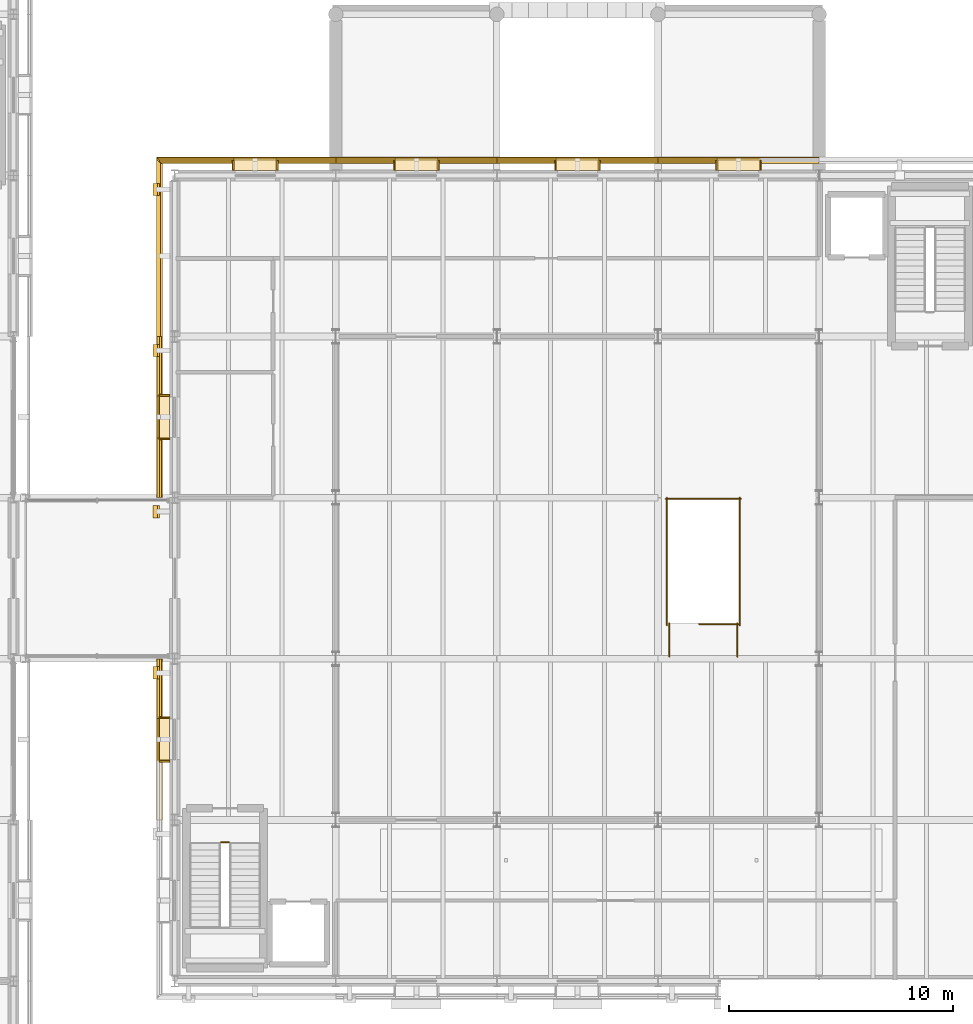
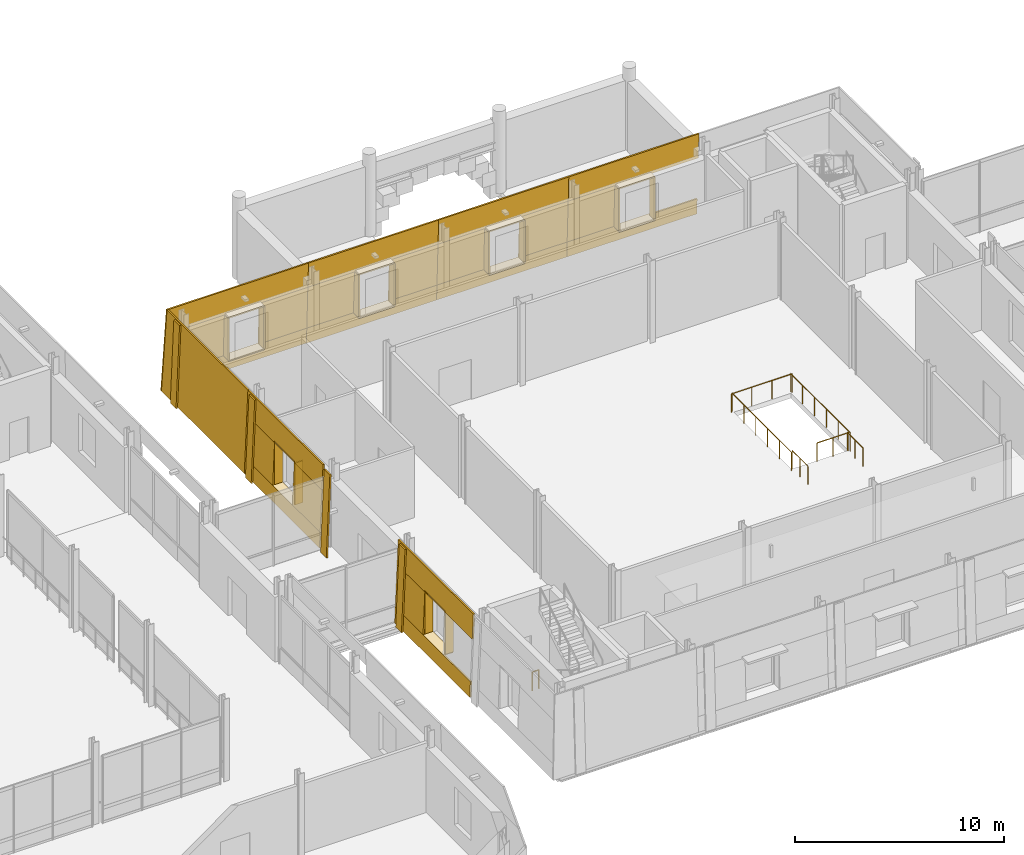
# One storey, part 113 of 121: 51 coverings, 7 railings.
"""IFC4 building model written with IfcOpenShell, lengths in metres."""

from ifc_helpers import new_model, si_unit, direction, frame, origin, origin_2d, place, context, subcontext, project, spatial, polyline, circle, outline, extrude, material, layer, layer_set, type_object, element, save


model = new_model("IFC4")

# Units and contexts
model_context = context("Model", 3, precision=1e-05, world=origin(), true_north=direction((0.0, 1.0)))
body_context = subcontext(model_context, "Body", "Model", "MODEL_VIEW")
ifc_project = project(units=[si_unit("LENGTHUNIT", "METRE"), si_unit("AREAUNIT", "SQUARE_METRE"), si_unit("VOLUMEUNIT", "CUBIC_METRE"), si_unit("PLANEANGLEUNIT", "RADIAN"), si_unit("MASSUNIT", "GRAM", prefix="KILO")], contexts=[model_context])

# Site, building, storey
site_placement = place(None, origin())
site = spatial("IfcSite", under=ifc_project, at=site_placement, CompositionType="ELEMENT")
building_placement = place(site_placement, origin())
building = spatial("IfcBuilding", under=site, at=building_placement, Name="Narikvali Park Central Library", CompositionType="ELEMENT")
storey_placement = place(building_placement, frame((0.0, 0.0, 5.39990234375)))
storey = spatial("IfcBuildingStorey", under=building, at=storey_placement, Name="L01", CompositionType="ELEMENT", Elevation=5.39990234375)

# Coverings
ifc_material_1 = material(Name="White Honed Limestone Cladding", Category="masonry")
ifc_layer_1 = layer(ifc_material_1, 0.0849609375, Name="White Honed Limestone Cladding")
ifc_layer_set_1 = layer_set([ifc_layer_1], Name="White Honed Limestone Cladding")
covering_type_1 = type_object("IfcCoveringType", Name="Battered White Limestone Facade Cladding Panel", PredefinedType="CLADDING", material=ifc_layer_set_1)
covering_1_placement = place(storey_placement, frame((93.60009765625, 94.4189453125, 0.0), z_axis=(0.0, 0.999162409553, 0.040920402453), x_axis=(-1.0, 0.0, 0.0)))
element("IfcCovering", 1, at=covering_1_placement, inside=storey, type_object=covering_type_1, Name="V1 L01 N Battered Limestone Spandrel B02", PredefinedType="CLADDING", context=body_context, shape_type="SweptSolid", body=[
    extrude(outline(polyline([(0.0, 0.0), (7.2001953125, 0.0), (7.2001953125, 0.9009010705056333), (0.0, 0.9009010705056333), (0.0, 0.0)])), origin(), (0.0, 0.0, -1.0), 0.0849609375),
])
covering_2_placement = place(storey_placement, frame((93.60009765625, 94.281982421875, 3.35009765625), z_axis=(0.0, 0.999163990863, 0.040881772989), x_axis=(-1.0, 0.0, 0.0)))
element("IfcCovering", 2, at=covering_2_placement, inside=storey, type_object=covering_type_1, Name="V1 L01 N Battered Limestone Lintel B02", PredefinedType="CLADDING", context=body_context, shape_type="SweptSolid", body=[
    extrude(outline(polyline([(0.0, 0.0), (7.2001953125, 0.0), (7.2001953125, 1.4511643585380078), (0.0, 1.4511643585380078), (0.0, 0.0)])), origin(), (0.0, 0.0, -1.0), 0.0849609375),
])
covering_3_placement = place(storey_placement, frame((89.06005859375, 94.382080078125, 0.900146484375), z_axis=(0.0, 0.999166396258, 0.04082294195), x_axis=(-1.0, 0.0, 0.0)))
element("IfcCovering", 3, at=covering_3_placement, inside=storey, type_object=covering_type_1, Name="V1 L01 N Battered Limestone Jamb Pier R B02", PredefinedType="CLADDING", context=body_context, shape_type="SweptSolid", body=[
    extrude(outline(polyline([(0.0, 0.0), (2.66015625, 0.0), (2.66015625, 2.4519951642200337), (0.0, 2.4519951642200337), (0.0, 0.0)])), origin(), (0.0, 0.0, -1.0), 0.0849609375),
])
covering_4_placement = place(storey_placement, frame((86.39990234375, 94.4189453125, 0.0), z_axis=(0.0, 0.999162409553, 0.040920402453), x_axis=(-1.0, 0.0, 0.0)))
element("IfcCovering", 4, at=covering_4_placement, inside=storey, type_object=covering_type_1, Name="V1 L01 N Battered Limestone Spandrel B03", PredefinedType="CLADDING", context=body_context, shape_type="SweptSolid", body=[
    extrude(outline(polyline([(0.0, 0.0), (7.199951171875, 0.0), (7.199951171875, 0.9009010705056333), (0.0, 0.9009010705056333), (0.0, 0.0)])), origin(), (0.0, 0.0, -1.0), 0.0849609375),
])
covering_5_placement = place(storey_placement, frame((86.39990234375, 94.281982421875, 3.35009765625), z_axis=(0.0, 0.999163990863, 0.040881772989), x_axis=(-1.0, 0.0, 0.0)))
element("IfcCovering", 5, at=covering_5_placement, inside=storey, type_object=covering_type_1, Name="V1 L01 N Battered Limestone Lintel B03", PredefinedType="CLADDING", context=body_context, shape_type="SweptSolid", body=[
    extrude(outline(polyline([(0.0, 0.0), (7.199951171875, 0.0), (7.199951171875, 1.451164358538008), (0.0, 1.451164358538008), (0.0, 0.0)])), origin(), (0.0, 0.0, -1.0), 0.0849609375),
])
covering_6_placement = place(storey_placement, frame((86.39990234375, 94.382080078125, 0.900146484375), z_axis=(0.0, 0.999166396258, 0.04082294195), x_axis=(-1.0, 0.0, 0.0)))
element("IfcCovering", 6, at=covering_6_placement, inside=storey, type_object=covering_type_1, Name="V1 L01 N Battered Limestone Jamb Pier L B03", PredefinedType="CLADDING", context=body_context, shape_type="SweptSolid", body=[
    extrude(outline(polyline([(0.0, 0.0), (2.659912109375, 0.0), (2.659912109375, 2.4519951642200337), (0.0, 2.4519951642200337), (0.0, 0.0)])), origin(), (0.0, 0.0, -1.0), 0.0849609375),
])
covering_7_placement = place(storey_placement, frame((81.860107421875, 94.382080078125, 0.900146484375), z_axis=(0.0, 0.999166396258, 0.04082294195), x_axis=(-1.0, 0.0, 0.0)))
element("IfcCovering", 7, at=covering_7_placement, inside=storey, type_object=covering_type_1, Name="V1 L01 N Battered Limestone Jamb Pier R B03", PredefinedType="CLADDING", context=body_context, shape_type="SweptSolid", body=[
    extrude(outline(polyline([(0.0, 0.0), (2.66015625, 0.0), (2.66015625, 2.4519951642200337), (0.0, 2.4519951642200337), (0.0, 0.0)])), origin(), (0.0, 0.0, -1.0), 0.0849609375),
])
covering_8_placement = place(storey_placement, frame((79.199951171875, 94.4189453125, 0.0), z_axis=(0.0, 0.999162409553, 0.040920402453), x_axis=(-1.0, 0.0, 0.0)))
element("IfcCovering", 8, at=covering_8_placement, inside=storey, type_object=covering_type_1, Name="V1 L01 N Battered Limestone Spandrel B04", PredefinedType="CLADDING", context=body_context, shape_type="SweptSolid", body=[
    extrude(outline(polyline([(0.0, 0.0), (7.199951171875, 0.0), (7.199951171875, 0.9009010705056333), (0.0, 0.9009010705056333), (0.0, 0.0)])), origin(), (0.0, 0.0, -1.0), 0.0849609375),
])
covering_9_placement = place(storey_placement, frame((79.199951171875, 94.281982421875, 3.35009765625), z_axis=(0.0, 0.999163990863, 0.040881772989), x_axis=(-1.0, 0.0, 0.0)))
element("IfcCovering", 9, at=covering_9_placement, inside=storey, type_object=covering_type_1, Name="V1 L01 N Battered Limestone Lintel B04", PredefinedType="CLADDING", context=body_context, shape_type="SweptSolid", body=[
    extrude(outline(polyline([(0.0, 0.0), (7.199951171875, 0.0), (7.199951171875, 1.451164358538008), (0.0, 1.451164358538008), (0.0, 0.0)])), origin(), (0.0, 0.0, -1.0), 0.0849609375),
])
for number, where, z_axis, x_axis, name in (
    (10, (79.199951171875, 94.382080078125, 0.900146484375), (0.0, 0.999166396258, 0.04082294195), (-1.0, 0.0, 0.0), "V1 L01 N Battered Limestone Jamb Pier L B04"),
    (11, (74.659912109375, 94.382080078125, 0.900146484375), (0.0, 0.999166396258, 0.04082294195), (-1.0, 0.0, 0.0), "V1 L01 N Battered Limestone Jamb Pier R B04"),
):
    element("IfcCovering", number, at=place(storey_placement, frame(where, z_axis=z_axis, x_axis=x_axis)), inside=storey, type_object=covering_type_1, Name=name, PredefinedType="CLADDING", context=body_context, shape_type="SweptSolid", body=[
        extrude(outline(polyline([(0.0, 0.0), (2.659912109375, 0.0), (2.659912109375, 2.4519951642200337), (0.0, 2.4519951642200337), (0.0, 0.0)])), origin(), (0.0, 0.0, -1.0), 0.0849609375),
    ])
covering_10_placement = place(storey_placement, frame((72.0, 94.4189453125, 0.0), z_axis=(0.0, 0.999162409553, 0.040920402453), x_axis=(-1.0, 0.0, 0.0)))
element("IfcCovering", 12, at=covering_10_placement, inside=storey, type_object=covering_type_1, Name="V1 L01 N Battered Limestone Spandrel B05", PredefinedType="CLADDING", context=body_context, shape_type="SweptSolid", body=[
    extrude(outline(polyline([(0.0, 0.0), (8.01904296875, 0.0), (7.982177734375, 0.9009010705056333), (0.0, 0.9009010705056333), (0.0, 0.0)])), origin(), (0.0, 0.0, -1.0), 0.0849609375),
])
covering_11_placement = place(storey_placement, frame((72.0, 94.281982421875, 3.35009765625), z_axis=(0.0, 0.999163990863, 0.040881772989), x_axis=(-1.0, 0.0, 0.0)))
element("IfcCovering", 13, at=covering_11_placement, inside=storey, type_object=covering_type_1, Name="V1 L01 N Battered Limestone Lintel B05", PredefinedType="CLADDING", context=body_context, shape_type="SweptSolid", body=[
    extrude(outline(polyline([(0.0, 0.0), (7.8818359375, 0.0), (7.822509765625, 1.4511643585380076), (0.0, 1.4511643585380076), (0.0, 0.0)])), origin(), (0.0, 0.0, -1.0), 0.0849609375),
])
covering_12_placement = place(storey_placement, frame((72.0, 94.382080078125, 0.900146484375), z_axis=(0.0, 0.999166396258, 0.04082294195), x_axis=(-1.0, 0.0, 0.0)))
element("IfcCovering", 14, at=covering_12_placement, inside=storey, type_object=covering_type_1, Name="V1 L01 N Battered Limestone Jamb Pier L B05", PredefinedType="CLADDING", context=body_context, shape_type="SweptSolid", body=[
    extrude(outline(polyline([(0.0, 0.0), (2.659912109375, 0.0), (2.659912109375, 2.4519951642200337), (0.0, 2.4519951642200337), (0.0, 0.0)])), origin(), (0.0, 0.0, -1.0), 0.0849609375),
])
covering_13_placement = place(storey_placement, frame((67.4599609375, 94.382080078125, 0.900146484375), z_axis=(0.0, 0.999166396258, 0.04082294195), x_axis=(-1.0, 0.0, 0.0)))
element("IfcCovering", 15, at=covering_13_placement, inside=storey, type_object=covering_type_1, Name="V1 L01 N Battered Limestone Jamb Pier R B05", PredefinedType="CLADDING", context=body_context, shape_type="SweptSolid", body=[
    extrude(outline(polyline([(0.0, 0.0), (3.442138671875, 0.0), (3.341796875, 2.4519951642200333), (0.0, 2.4519951642200333), (0.0, 0.0)])), origin(), (0.0, 0.0, -1.0), 0.0849609375),
])
covering_14_placement = place(storey_placement, frame((63.841064453125, 93.25, 0.0), z_axis=(-0.9991649228, 0.0, 0.040858989773), x_axis=(0.0, -1.0, 0.0)))
element("IfcCovering", 16, at=covering_14_placement, inside=storey, type_object=covering_type_1, Name="V1 L01 W Classical Limestone Pilaster B01", PredefinedType="CLADDING", context=body_context, shape_type="SweptSolid", body=[
    extrude(outline(polyline([(0.0, 0.0), (0.550048828125, 0.0), (0.550048828125, 4.804060589588907), (0.0, 4.804060589588907), (0.0, 0.0)])), origin(), (0.0, 0.0, -1.0), 0.0849609375),
])
covering_15_placement = place(storey_placement, frame((63.98095703125, 94.333984375, 0.0), z_axis=(-0.999162846811, 0.0, 0.040909724413), x_axis=(0.0, -1.0, 0.0)))
element("IfcCovering", 17, at=covering_15_placement, inside=storey, type_object=covering_type_1, Name="V1 L01 W Battered Limestone Panel B01", PredefinedType="CLADDING", context=body_context, shape_type="SweptSolid", body=[
    extrude(outline(polyline([(0.0, 0.0), (7.93408203125, 0.0), (7.93408203125, 4.8040705711214065), (0.1962890625, 4.8040705711214065), (0.0, 0.0)])), origin(), (0.0, 0.0, -1.0), 0.0849609375),
])
covering_16_placement = place(storey_placement, frame((63.841064453125, 86.050048828125, 0.0), z_axis=(-0.9991649228, 0.0, 0.040858989773), x_axis=(0.0, -1.0, 0.0)))
element("IfcCovering", 18, at=covering_16_placement, inside=storey, type_object=covering_type_1, Name="V1 L01 W Classical Limestone Pilaster B02", PredefinedType="CLADDING", context=body_context, shape_type="SweptSolid", body=[
    extrude(outline(polyline([(0.0, 0.0), (0.550048828125, 0.0), (0.550048828125, 4.804060589588907), (0.0, 4.804060589588907), (0.0, 0.0)])), origin(), (0.0, 0.0, -1.0), 0.0849609375),
])
covering_17_placement = place(storey_placement, frame((63.98095703125, 86.39990234375, 0.0), z_axis=(-0.999162409553, 0.0, 0.040920402453), x_axis=(0.0, -1.0, 0.0)))
element("IfcCovering", 19, at=covering_17_placement, inside=storey, type_object=covering_type_1, Name="V1 L01 W Battered Limestone Spandrel B02", PredefinedType="CLADDING", context=body_context, shape_type="SweptSolid", body=[
    extrude(outline(polyline([(0.0, 0.0), (7.199951171875, 0.0), (7.199951171875, 0.9009010705056333), (0.0, 0.9009010705056333), (0.0, 0.0)])), origin(), (0.0, 0.0, -1.0), 0.0849609375),
])
covering_18_placement = place(storey_placement, frame((64.1181640625, 86.39990234375, 3.35009765625), z_axis=(-0.999163990863, 0.0, 0.040881772989), x_axis=(0.0, -1.0, 0.0)))
element("IfcCovering", 20, at=covering_18_placement, inside=storey, type_object=covering_type_1, Name="V1 L01 W Battered Limestone Lintel B02", PredefinedType="CLADDING", context=body_context, shape_type="SweptSolid", body=[
    extrude(outline(polyline([(0.0, 0.0), (7.199951171875, 0.0), (7.199951171875, 1.451164358538008), (0.0, 1.451164358538008), (0.0, 0.0)])), origin(), (0.0, 0.0, -1.0), 0.0849609375),
])
covering_19_placement = place(storey_placement, frame((64.017822265625, 86.39990234375, 0.900146484375), z_axis=(-0.999162330053, 0.0, 0.040922343563), x_axis=(0.0, -1.0, 0.0)))
element("IfcCovering", 21, at=covering_19_placement, inside=storey, type_object=covering_type_1, Name="V1 L01 W Battered Limestone Jamb Pier L B02", PredefinedType="CLADDING", context=body_context, shape_type="SweptSolid", body=[
    extrude(outline(polyline([(0.0, 0.0), (2.659912109375, 0.0), (2.659912109375, 2.4520051428926064), (0.0, 2.4520051428926064), (0.0, 0.0)])), origin(), (0.0, 0.0, -1.0), 0.0849609375),
])
covering_20_placement = place(storey_placement, frame((64.017822265625, 81.860107421875, 0.900146484375), z_axis=(-0.999162330053, 0.0, 0.040922343563), x_axis=(0.0, -1.0, 0.0)))
element("IfcCovering", 22, at=covering_20_placement, inside=storey, type_object=covering_type_1, Name="V1 L01 W Battered Limestone Jamb Pier R B02", PredefinedType="CLADDING", context=body_context, shape_type="SweptSolid", body=[
    extrude(outline(polyline([(0.0, 0.0), (2.66015625, 0.0), (2.66015625, 2.452005142892606), (0.0, 2.452005142892606), (0.0, 0.0)])), origin(), (0.0, 0.0, -1.0), 0.0849609375),
])
covering_21_placement = place(storey_placement, frame((63.841064453125, 78.85009765625, 0.0), z_axis=(-0.9991649228, 0.0, 0.040858989773), x_axis=(0.0, -1.0, 0.0)))
element("IfcCovering", 23, at=covering_21_placement, inside=storey, type_object=covering_type_1, Name="V1 L01 W Classical Limestone Pilaster B03", PredefinedType="CLADDING", context=body_context, shape_type="SweptSolid", body=[
    extrude(outline(polyline([(0.0, 0.0), (0.550048828125, 0.0), (0.550048828125, 4.804060589588907), (0.0, 4.804060589588907), (0.0, 0.0)])), origin(), (0.0, 0.0, -1.0), 0.0849609375),
])
covering_22_placement = place(storey_placement, frame((63.841064453125, 71.64990234375, 0.0), z_axis=(-0.9991649228, 0.0, 0.040858989773), x_axis=(0.0, -1.0, 0.0)))
element("IfcCovering", 24, at=covering_22_placement, inside=storey, type_object=covering_type_1, Name="V1 L01 W Classical Limestone Pilaster B04", PredefinedType="CLADDING", context=body_context, shape_type="SweptSolid", body=[
    extrude(outline(polyline([(0.0, 0.0), (0.5498046875, 0.0), (0.5498046875, 4.804060589588907), (0.0, 4.804060589588907), (0.0, 0.0)])), origin(), (0.0, 0.0, -1.0), 0.0849609375),
])
covering_23_placement = place(storey_placement, frame((63.98095703125, 72.0, 0.0), z_axis=(-0.999162409553, 0.0, 0.040920402453), x_axis=(0.0, -1.0, 0.0)))
element("IfcCovering", 25, at=covering_23_placement, inside=storey, type_object=covering_type_1, Name="V1 L01 W Battered Limestone Spandrel B04", PredefinedType="CLADDING", context=body_context, shape_type="SweptSolid", body=[
    extrude(outline(polyline([(0.0, 0.0), (7.199951171875, 0.0), (7.199951171875, 0.9009010705056333), (0.0, 0.9009010705056333), (0.0, 0.0)])), origin(), (0.0, 0.0, -1.0), 0.0849609375),
])
covering_24_placement = place(storey_placement, frame((64.1181640625, 72.0, 3.35009765625), z_axis=(-0.999163990863, 0.0, 0.040881772989), x_axis=(0.0, -1.0, 0.0)))
element("IfcCovering", 26, at=covering_24_placement, inside=storey, type_object=covering_type_1, Name="V1 L01 W Battered Limestone Lintel B04", PredefinedType="CLADDING", context=body_context, shape_type="SweptSolid", body=[
    extrude(outline(polyline([(0.0, 0.0), (7.199951171875, 0.0), (7.199951171875, 1.451164358538008), (0.0, 1.451164358538008), (0.0, 0.0)])), origin(), (0.0, 0.0, -1.0), 0.0849609375),
])
covering_25_placement = place(storey_placement, frame((64.017822265625, 72.0, 0.900146484375), z_axis=(-0.999162330053, 0.0, 0.040922343563), x_axis=(0.0, -1.0, 0.0)))
element("IfcCovering", 27, at=covering_25_placement, inside=storey, type_object=covering_type_1, Name="V1 L01 W Battered Limestone Jamb Pier L B04", PredefinedType="CLADDING", context=body_context, shape_type="SweptSolid", body=[
    extrude(outline(polyline([(0.0, 0.0), (2.659912109375, 0.0), (2.659912109375, 2.4520051428926064), (0.0, 2.4520051428926064), (0.0, 0.0)])), origin(), (0.0, 0.0, -1.0), 0.0849609375),
])
ifc_layer_2 = layer(ifc_material_1, 0.080078125, Name="White Honed Limestone Cladding")
ifc_layer_set_2 = layer_set([ifc_layer_2], Name="White Honed Limestone Cladding")
covering_type_2 = type_object("IfcCoveringType", Name="Deep Carved White Limestone Window Reveal", PredefinedType="CLADDING", material=ifc_layer_set_2)
covering_26_placement = place(storey_placement, frame((0.0, 0.0, 3.35009765625)))
element("IfcCovering", 28, at=covering_26_placement, inside=storey, type_object=covering_type_2, Name="Deep Stone Reveal Head V1-RVL-L01-N-B02", PredefinedType="CLADDING", context=body_context, shape_type="SweptSolid", body=[
    extrude(outline(polyline([(90.97998046875, 93.824951171875), (89.02001953125, 93.824951171875), (89.02001953125, 94.281982421875), (90.97998046875, 94.281982421875), (90.97998046875, 93.824951171875)])), origin(), (0.0, 0.0, 1.0), 0.080078125),
])
covering_27_placement = place(storey_placement, frame((0.0, 0.0, 0.820068359375)))
element("IfcCovering", 29, at=covering_27_placement, inside=storey, type_object=covering_type_2, Name="Deep Stone Reveal Sill V1-RVL-L01-N-B02", PredefinedType="CLADDING", context=body_context, shape_type="SweptSolid", body=[
    extrude(outline(polyline([(90.97998046875, 93.824951171875), (89.02001953125, 93.824951171875), (89.02001953125, 94.382080078125), (90.97998046875, 94.382080078125), (90.97998046875, 93.824951171875)])), origin(), (0.0, 0.0, 1.0), 0.080078125),
])
covering_28_placement = place(storey_placement, frame((0.0, 0.0, 0.900146484375)))
element("IfcCovering", 30, at=covering_28_placement, inside=storey, type_object=covering_type_2, Name="Deep Stone Reveal Jamb L V1-RVL-L01-N-B02", PredefinedType="CLADDING", context=body_context, shape_type="SweptSolid", body=[
    extrude(outline(polyline([(91.02001953125, 93.824951171875), (90.93994140625, 93.824951171875), (90.93994140625, 94.281982421875), (91.02001953125, 94.281982421875), (91.02001953125, 93.824951171875)])), origin(), (0.0, 0.0, 1.0), 2.449951171875),
])
covering_29_placement = place(storey_placement, frame((0.0, 0.0, 0.900146484375)))
element("IfcCovering", 31, at=covering_29_placement, inside=storey, type_object=covering_type_2, Name="Deep Stone Reveal Jamb R V1-RVL-L01-N-B02", PredefinedType="CLADDING", context=body_context, shape_type="SweptSolid", body=[
    extrude(outline(polyline([(89.06005859375, 93.824951171875), (88.97998046875, 93.824951171875), (88.97998046875, 94.281982421875), (89.06005859375, 94.281982421875), (89.06005859375, 93.824951171875)])), origin(), (0.0, 0.0, 1.0), 2.449951171875),
])
covering_30_placement = place(storey_placement, frame((0.0, 0.0, 3.35009765625)))
element("IfcCovering", 32, at=covering_30_placement, inside=storey, type_object=covering_type_2, Name="Deep Stone Reveal Head V1-RVL-L01-N-B03", PredefinedType="CLADDING", context=body_context, shape_type="SweptSolid", body=[
    extrude(outline(polyline([(83.780029296875, 93.824951171875), (81.820068359375, 93.824951171875), (81.820068359375, 94.281982421875), (83.780029296875, 94.281982421875), (83.780029296875, 93.824951171875)])), origin(), (0.0, 0.0, 1.0), 0.080078125),
])
covering_31_placement = place(storey_placement, frame((0.0, 0.0, 0.820068359375)))
element("IfcCovering", 33, at=covering_31_placement, inside=storey, type_object=covering_type_2, Name="Deep Stone Reveal Sill V1-RVL-L01-N-B03", PredefinedType="CLADDING", context=body_context, shape_type="SweptSolid", body=[
    extrude(outline(polyline([(83.780029296875, 93.824951171875), (81.820068359375, 93.824951171875), (81.820068359375, 94.382080078125), (83.780029296875, 94.382080078125), (83.780029296875, 93.824951171875)])), origin(), (0.0, 0.0, 1.0), 0.080078125),
])
covering_32_placement = place(storey_placement, frame((0.0, 0.0, 0.900146484375)))
element("IfcCovering", 34, at=covering_32_placement, inside=storey, type_object=covering_type_2, Name="Deep Stone Reveal Jamb L V1-RVL-L01-N-B03", PredefinedType="CLADDING", context=body_context, shape_type="SweptSolid", body=[
    extrude(outline(polyline([(83.820068359375, 93.824951171875), (83.739990234375, 93.824951171875), (83.739990234375, 94.281982421875), (83.820068359375, 94.281982421875), (83.820068359375, 93.824951171875)])), origin(), (0.0, 0.0, 1.0), 2.449951171875),
])
covering_33_placement = place(storey_placement, frame((0.0, 0.0, 0.900146484375)))
element("IfcCovering", 35, at=covering_33_placement, inside=storey, type_object=covering_type_2, Name="Deep Stone Reveal Jamb R V1-RVL-L01-N-B03", PredefinedType="CLADDING", context=body_context, shape_type="SweptSolid", body=[
    extrude(outline(polyline([(81.860107421875, 93.824951171875), (81.780029296875, 93.824951171875), (81.780029296875, 94.281982421875), (81.860107421875, 94.281982421875), (81.860107421875, 93.824951171875)])), origin(), (0.0, 0.0, 1.0), 2.449951171875),
])
covering_34_placement = place(storey_placement, frame((0.0, 0.0, 3.35009765625)))
element("IfcCovering", 36, at=covering_34_placement, inside=storey, type_object=covering_type_2, Name="Deep Stone Reveal Head V1-RVL-L01-N-B04", PredefinedType="CLADDING", context=body_context, shape_type="SweptSolid", body=[
    extrude(outline(polyline([(76.580078125, 93.824951171875), (74.6201171875, 93.824951171875), (74.6201171875, 94.281982421875), (76.580078125, 94.281982421875), (76.580078125, 93.824951171875)])), origin(), (0.0, 0.0, 1.0), 0.080078125),
])
covering_35_placement = place(storey_placement, frame((0.0, 0.0, 0.820068359375)))
element("IfcCovering", 37, at=covering_35_placement, inside=storey, type_object=covering_type_2, Name="Deep Stone Reveal Sill V1-RVL-L01-N-B04", PredefinedType="CLADDING", context=body_context, shape_type="SweptSolid", body=[
    extrude(outline(polyline([(76.580078125, 93.824951171875), (74.6201171875, 93.824951171875), (74.6201171875, 94.382080078125), (76.580078125, 94.382080078125), (76.580078125, 93.824951171875)])), origin(), (0.0, 0.0, 1.0), 0.080078125),
])
covering_36_placement = place(storey_placement, frame((0.0, 0.0, 0.900146484375)))
element("IfcCovering", 38, at=covering_36_placement, inside=storey, type_object=covering_type_2, Name="Deep Stone Reveal Jamb L V1-RVL-L01-N-B04", PredefinedType="CLADDING", context=body_context, shape_type="SweptSolid", body=[
    extrude(outline(polyline([(76.6201171875, 93.824951171875), (76.5400390625, 93.824951171875), (76.5400390625, 94.281982421875), (76.6201171875, 94.281982421875), (76.6201171875, 93.824951171875)])), origin(), (0.0, 0.0, 1.0), 2.449951171875),
])
covering_37_placement = place(storey_placement, frame((0.0, 0.0, 0.900146484375)))
element("IfcCovering", 39, at=covering_37_placement, inside=storey, type_object=covering_type_2, Name="Deep Stone Reveal Jamb R V1-RVL-L01-N-B04", PredefinedType="CLADDING", context=body_context, shape_type="SweptSolid", body=[
    extrude(outline(polyline([(74.659912109375, 93.824951171875), (74.580078125, 93.824951171875), (74.580078125, 94.281982421875), (74.659912109375, 94.281982421875), (74.659912109375, 93.824951171875)])), origin(), (0.0, 0.0, 1.0), 2.449951171875),
])
covering_38_placement = place(storey_placement, frame((0.0, 0.0, 3.35009765625)))
element("IfcCovering", 40, at=covering_38_placement, inside=storey, type_object=covering_type_2, Name="Deep Stone Reveal Head V1-RVL-L01-N-B05", PredefinedType="CLADDING", context=body_context, shape_type="SweptSolid", body=[
    extrude(outline(polyline([(69.3798828125, 93.824951171875), (67.419921875, 93.824951171875), (67.419921875, 94.281982421875), (69.3798828125, 94.281982421875), (69.3798828125, 93.824951171875)])), origin(), (0.0, 0.0, 1.0), 0.080078125),
])
covering_39_placement = place(storey_placement, frame((0.0, 0.0, 0.820068359375)))
element("IfcCovering", 41, at=covering_39_placement, inside=storey, type_object=covering_type_2, Name="Deep Stone Reveal Sill V1-RVL-L01-N-B05", PredefinedType="CLADDING", context=body_context, shape_type="SweptSolid", body=[
    extrude(outline(polyline([(69.3798828125, 93.824951171875), (67.419921875, 93.824951171875), (67.419921875, 94.382080078125), (69.3798828125, 94.382080078125), (69.3798828125, 93.824951171875)])), origin(), (0.0, 0.0, 1.0), 0.080078125),
])
covering_40_placement = place(storey_placement, frame((0.0, 0.0, 0.900146484375)))
element("IfcCovering", 42, at=covering_40_placement, inside=storey, type_object=covering_type_2, Name="Deep Stone Reveal Jamb L V1-RVL-L01-N-B05", PredefinedType="CLADDING", context=body_context, shape_type="SweptSolid", body=[
    extrude(outline(polyline([(69.419921875, 93.824951171875), (69.340087890625, 93.824951171875), (69.340087890625, 94.281982421875), (69.419921875, 94.281982421875), (69.419921875, 93.824951171875)])), origin(), (0.0, 0.0, 1.0), 2.449951171875),
])
covering_41_placement = place(storey_placement, frame((0.0, 0.0, 0.900146484375)))
element("IfcCovering", 43, at=covering_41_placement, inside=storey, type_object=covering_type_2, Name="Deep Stone Reveal Jamb R V1-RVL-L01-N-B05", PredefinedType="CLADDING", context=body_context, shape_type="SweptSolid", body=[
    extrude(outline(polyline([(67.4599609375, 93.824951171875), (67.3798828125, 93.824951171875), (67.3798828125, 94.281982421875), (67.4599609375, 94.281982421875), (67.4599609375, 93.824951171875)])), origin(), (0.0, 0.0, 1.0), 2.449951171875),
])
covering_42_placement = place(storey_placement, frame((0.0, 0.0, 3.35009765625)))
element("IfcCovering", 44, at=covering_42_placement, inside=storey, type_object=covering_type_2, Name="Deep Stone Reveal Head V1-RVL-L01-W-B02", PredefinedType="CLADDING", context=body_context, shape_type="SweptSolid", body=[
    extrude(outline(polyline([(64.574951171875, 83.780029296875), (64.574951171875, 81.820068359375), (64.1181640625, 81.820068359375), (64.1181640625, 83.780029296875), (64.574951171875, 83.780029296875)])), origin(), (0.0, 0.0, 1.0), 0.080078125),
])
covering_43_placement = place(storey_placement, frame((0.0, 0.0, 0.820068359375)))
element("IfcCovering", 45, at=covering_43_placement, inside=storey, type_object=covering_type_2, Name="Deep Stone Reveal Sill V1-RVL-L01-W-B02", PredefinedType="CLADDING", context=body_context, shape_type="SweptSolid", body=[
    extrude(outline(polyline([(64.574951171875, 83.780029296875), (64.574951171875, 81.820068359375), (64.017822265625, 81.820068359375), (64.017822265625, 83.780029296875), (64.574951171875, 83.780029296875)])), origin(), (0.0, 0.0, 1.0), 0.080078125),
])
covering_44_placement = place(storey_placement, frame((0.0, 0.0, 0.900146484375)))
element("IfcCovering", 46, at=covering_44_placement, inside=storey, type_object=covering_type_2, Name="Deep Stone Reveal Jamb L V1-RVL-L01-W-B02", PredefinedType="CLADDING", context=body_context, shape_type="SweptSolid", body=[
    extrude(outline(polyline([(64.574951171875, 83.820068359375), (64.574951171875, 83.739990234375), (64.1181640625, 83.739990234375), (64.1181640625, 83.820068359375), (64.574951171875, 83.820068359375)])), origin(), (0.0, 0.0, 1.0), 2.449951171875),
])
covering_45_placement = place(storey_placement, frame((0.0, 0.0, 0.900146484375)))
element("IfcCovering", 47, at=covering_45_placement, inside=storey, type_object=covering_type_2, Name="Deep Stone Reveal Jamb R V1-RVL-L01-W-B02", PredefinedType="CLADDING", context=body_context, shape_type="SweptSolid", body=[
    extrude(outline(polyline([(64.574951171875, 81.860107421875), (64.574951171875, 81.780029296875), (64.1181640625, 81.780029296875), (64.1181640625, 81.860107421875), (64.574951171875, 81.860107421875)])), origin(), (0.0, 0.0, 1.0), 2.449951171875),
])
covering_46_placement = place(storey_placement, frame((0.0, 0.0, 3.35009765625)))
element("IfcCovering", 48, at=covering_46_placement, inside=storey, type_object=covering_type_2, Name="Deep Stone Reveal Head V1-RVL-L01-W-B04", PredefinedType="CLADDING", context=body_context, shape_type="SweptSolid", body=[
    extrude(outline(polyline([(64.574951171875, 69.3798828125), (64.574951171875, 67.419921875), (64.1181640625, 67.419921875), (64.1181640625, 69.3798828125), (64.574951171875, 69.3798828125)])), origin(), (0.0, 0.0, 1.0), 0.080078125),
])
covering_47_placement = place(storey_placement, frame((0.0, 0.0, 0.820068359375)))
element("IfcCovering", 49, at=covering_47_placement, inside=storey, type_object=covering_type_2, Name="Deep Stone Reveal Sill V1-RVL-L01-W-B04", PredefinedType="CLADDING", context=body_context, shape_type="SweptSolid", body=[
    extrude(outline(polyline([(64.574951171875, 69.3798828125), (64.574951171875, 67.419921875), (64.017822265625, 67.419921875), (64.017822265625, 69.3798828125), (64.574951171875, 69.3798828125)])), origin(), (0.0, 0.0, 1.0), 0.080078125),
])
covering_48_placement = place(storey_placement, frame((0.0, 0.0, 0.900146484375)))
element("IfcCovering", 50, at=covering_48_placement, inside=storey, type_object=covering_type_2, Name="Deep Stone Reveal Jamb L V1-RVL-L01-W-B04", PredefinedType="CLADDING", context=body_context, shape_type="SweptSolid", body=[
    extrude(outline(polyline([(64.574951171875, 69.419921875), (64.574951171875, 69.340087890625), (64.1181640625, 69.340087890625), (64.1181640625, 69.419921875), (64.574951171875, 69.419921875)])), origin(), (0.0, 0.0, 1.0), 2.449951171875),
])
covering_49_placement = place(storey_placement, frame((0.0, 0.0, 0.900146484375)))
element("IfcCovering", 51, at=covering_49_placement, inside=storey, type_object=covering_type_2, Name="Deep Stone Reveal Jamb R V1-RVL-L01-W-B04", PredefinedType="CLADDING", context=body_context, shape_type="SweptSolid", body=[
    extrude(outline(polyline([(64.574951171875, 67.4599609375), (64.574951171875, 67.3798828125), (64.1181640625, 67.3798828125), (64.1181640625, 67.4599609375), (64.574951171875, 67.4599609375)])), origin(), (0.0, 0.0, 1.0), 2.449951171875),
])

# Railings
ifc_material_2 = material(Name="Powder-Coated Steel S275", Category="steel")
ifc_layer_3 = layer(ifc_material_2, 0.050048828125, Name="Powder-Coated Steel S275")
ifc_layer_set_3 = layer_set([ifc_layer_3], Name="Powder-Coated Steel S275")
railing_type = type_object("IfcRailingType", Name="Stair Well Steel Guardrail 1100", PredefinedType="GUARDRAIL", material=ifc_layer_set_3)
railing_1_placement = place(storey_placement, frame((66.8701171875, 63.800048828125, 0.0)))
element("IfcRailing", 52, at=railing_1_placement, inside=storey, type_object=railing_type, Name="L01 ST-01 stair guard 4", PredefinedType="GUARDRAIL", context=body_context, shape_type="SweptSolid", body=[
    extrude(circle(Radius=0.02392578125, at=origin_2d()), frame((0.0, 0.0, 1.076171875), z_axis=(1.0, 0.0, 0.0), x_axis=(0.0, 1.0, 0.0)), (0.0, 0.0, 1.0), 0.35986328125),
    extrude(circle(Radius=0.02099609375, at=origin_2d()), origin(), (0.0, 0.0, 1.0), 1.052001953125),
    extrude(circle(Radius=0.02099609375, at=origin_2d()), frame((0.35986328125, 0.0, 0.0)), (0.0, 0.0, 1.0), 1.052001953125),
])
railing_2_placement = place(storey_placement, frame((90.0, 73.550048828125, 0.0)))
element("IfcRailing", 53, at=railing_2_placement, inside=storey, type_object=railing_type, Name="L01 ST-13 top well guard 1", PredefinedType="GUARDRAIL", context=body_context, shape_type="SweptSolid", body=[
    extrude(circle(Radius=0.02392578125, at=origin_2d()), frame((0.0, 0.0, 1.076171875), z_axis=(-1.0, 0.0, 0.0), x_axis=(0.0, -1.0, 0.0)), (0.0, 0.0, 1.0), 1.75),
    extrude(circle(Radius=0.02099609375, at=origin_2d()), origin(), (0.0, 0.0, 1.0), 1.052001953125),
    extrude(circle(Radius=0.02099609375, at=origin_2d()), frame((-0.875, 0.0, 0.0)), (0.0, 0.0, 1.0), 1.052001953125),
    extrude(circle(Radius=0.02099609375, at=origin_2d()), frame((-1.75, 0.0, 0.0)), (0.0, 0.0, 1.0), 1.052001953125),
])
for number, where, name in (
    (54, (90.050048828125, 73.5, 0.0), "L01 ST-13 top well guard 2"),
    (55, (86.800048828125, 73.5, 0.0), "L01 ST-13 top well guard 3"),
):
    element("IfcRailing", number, at=place(storey_placement, frame(where)), inside=storey, type_object=railing_type, Name=name, PredefinedType="GUARDRAIL", context=body_context, shape_type="SweptSolid", body=[
        extrude(circle(Radius=0.02392578125, at=origin_2d()), frame((0.0, 0.0, 1.076171875), z_axis=(0.0, 1.0, 0.0), x_axis=(-1.0, 0.0, 0.0)), (0.0, 0.0, 1.0), 5.699951171875),
        extrude(circle(Radius=0.02099609375, at=origin_2d()), origin(), (0.0, 0.0, 1.0), 1.052001953125),
        extrude(circle(Radius=0.02099609375, at=origin_2d()), frame((0.0, 1.139892578125, 0.0)), (0.0, 0.0, 1.0), 1.052001953125),
        extrude(circle(Radius=0.02099609375, at=origin_2d()), frame((0.0, 2.280029296875, 0.0)), (0.0, 0.0, 1.0), 1.052001953125),
        extrude(circle(Radius=0.02099609375, at=origin_2d()), frame((0.0, 3.419921875, 0.0)), (0.0, 0.0, 1.0), 1.052001953125),
        extrude(circle(Radius=0.02099609375, at=origin_2d()), frame((0.0, 4.56005859375, 0.0)), (0.0, 0.0, 1.0), 1.052001953125),
        extrude(circle(Radius=0.02099609375, at=origin_2d()), frame((0.0, 5.699951171875, 0.0)), (0.0, 0.0, 1.0), 1.052001953125),
    ])
railing_3_placement = place(storey_placement, frame((90.10009765625, 79.14990234375, 0.0)))
element("IfcRailing", 56, at=railing_3_placement, inside=storey, type_object=railing_type, Name="L01 ST-13 top well guard 4", PredefinedType="GUARDRAIL", context=body_context, shape_type="SweptSolid", body=[
    extrude(circle(Radius=0.02392578125, at=origin_2d()), frame((0.0, 0.0, 1.076171875), z_axis=(-1.0, 0.0, 0.0), x_axis=(0.0, -1.0, 0.0)), (0.0, 0.0, 1.0), 3.35009765625),
    extrude(circle(Radius=0.02099609375, at=origin_2d()), origin(), (0.0, 0.0, 1.0), 1.052001953125),
    extrude(circle(Radius=0.02099609375, at=origin_2d()), frame((-1.11669921875, 0.0, 0.0)), (0.0, 0.0, 1.0), 1.052001953125),
    extrude(circle(Radius=0.02099609375, at=origin_2d()), frame((-2.2333984375, 0.0, 0.0)), (0.0, 0.0, 1.0), 1.052001953125),
    extrude(circle(Radius=0.02099609375, at=origin_2d()), frame((-3.35009765625, 0.0, 0.0)), (0.0, 0.0, 1.0), 1.052001953125),
])
for number, where, name in (
    (57, (89.949951171875, 72.10009765625, 0.0), "L01 ST-13 top well guard 5"),
    (58, (86.89990234375, 72.10009765625, 0.0), "L01 ST-13 top well guard 6"),
):
    element("IfcRailing", number, at=place(storey_placement, frame(where)), inside=storey, type_object=railing_type, Name=name, PredefinedType="GUARDRAIL", context=body_context, shape_type="SweptSolid", body=[
        extrude(circle(Radius=0.02392578125, at=origin_2d()), frame((0.0, 0.0, 1.076171875), z_axis=(0.0, 1.0, 0.0), x_axis=(-1.0, 0.0, 0.0)), (0.0, 0.0, 1.0), 1.5),
        extrude(circle(Radius=0.02099609375, at=origin_2d()), origin(), (0.0, 0.0, 1.0), 1.052001953125),
        extrude(circle(Radius=0.02099609375, at=origin_2d()), frame((0.0, 0.75, 0.0)), (0.0, 0.0, 1.0), 1.052001953125),
        extrude(circle(Radius=0.02099609375, at=origin_2d()), frame((0.0, 1.5, 0.0)), (0.0, 0.0, 1.0), 1.052001953125),
    ])

save(model, "model.ifc")
